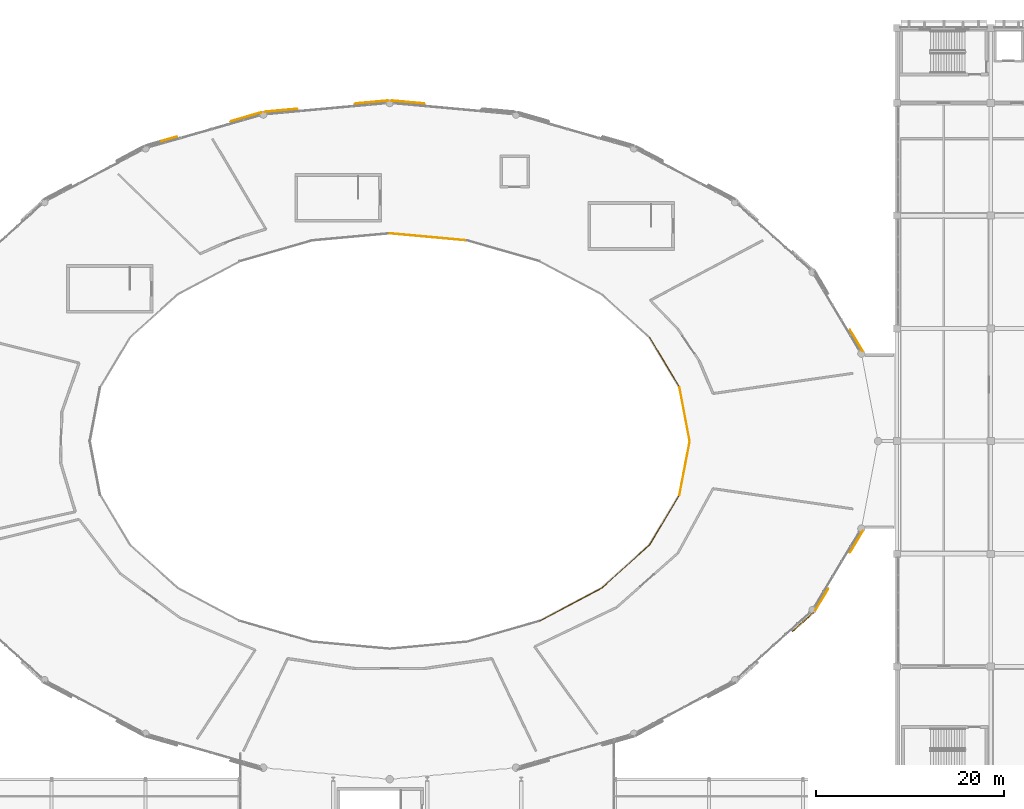
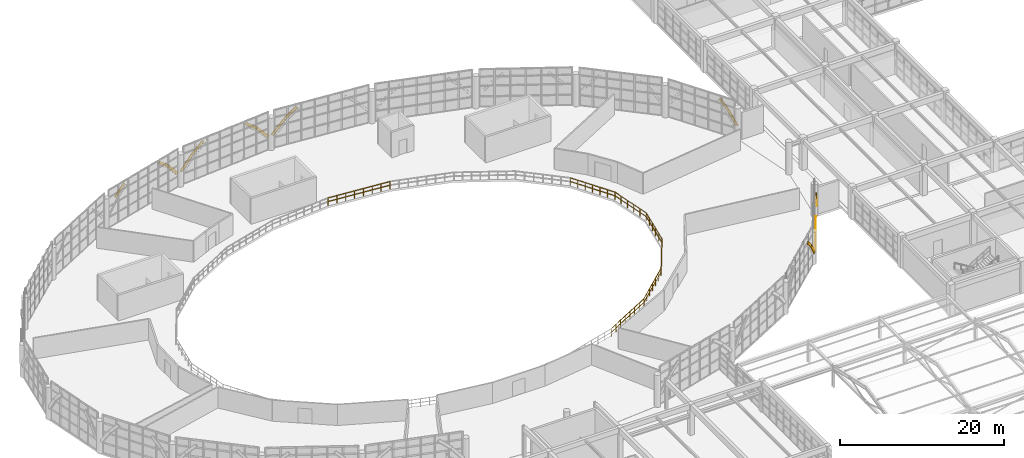
# One storey, part 102 of 109: 17 coverings, 7 railings.
"""IFC4 building model written with IfcOpenShell, lengths in metres."""

from ifc_helpers import new_model, si_unit, direction, frame, origin, origin_2d, place, context, subcontext, project, spatial, rectangle, circle, extrude, material, layer, layer_set, type_object, element, save


model = new_model("IFC4")

# Units and contexts
model_context = context("Model", 3, precision=1e-05, world=origin(), true_north=direction((0.0, 1.0)))
body_context = subcontext(model_context, "Body", "Model", "MODEL_VIEW")
ifc_project = project(units=[si_unit("LENGTHUNIT", "METRE"), si_unit("AREAUNIT", "SQUARE_METRE"), si_unit("VOLUMEUNIT", "CUBIC_METRE"), si_unit("PLANEANGLEUNIT", "RADIAN"), si_unit("MASSUNIT", "GRAM", prefix="KILO")], contexts=[model_context])

# Site, building, storey
site_placement = place(None, origin())
site = spatial("IfcSite", under=ifc_project, at=site_placement, CompositionType="ELEMENT")
building_placement = place(site_placement, origin())
building = spatial("IfcBuilding", under=site, at=building_placement, Name="Kivolera Central Railway Station", CompositionType="ELEMENT")
storey_placement = place(building_placement, frame((0.0, 0.0, 9.60009765625)))
storey = spatial("IfcBuildingStorey", under=building, at=storey_placement, Name="L02", CompositionType="ELEMENT", Elevation=9.60009765625)

# Coverings
ifc_material_1 = material(Name="Precast concrete C40/50", Category="concrete")
ifc_layer_1 = layer(ifc_material_1, 0.090087890625, Name="Precast concrete C40/50")
ifc_layer_set_1 = layer_set([ifc_layer_1], Name="Precast concrete C40/50")
covering_type = type_object("IfcCoveringType", Name="COV-CLAUSTRA-90", PredefinedType="CLADDING", material=ifc_layer_set_1)
covering_1_placement = place(storey_placement, frame((114.007080078125, 100.18408203125, 2.719970703125), z_axis=(-0.277895585097, 0.464634338162, 0.840766897293), x_axis=(0.858137550629, 0.513419851778, 0.0)))
element("IfcCovering", 1, at=covering_1_placement, inside=storey, type_object=covering_type, Name="Oval Lantern Arch Spandrel Extrados Trim 02.1", PredefinedType="CLADDING", context=body_context, shape_type="SweptSolid", body=[
    extrude(rectangle(XDim=0.090087890625, YDim=0.3798828125, at=origin_2d()), frame((0.0, 0.0, -1.1298828125)), (0.0, 0.0, 1.0), 2.260009765625),
])
covering_2_placement = place(storey_placement, frame((113.3720703125, 101.243896484375, 4.366943359375), z_axis=(-0.343400964084, 0.57361084614, 0.743670878182), x_axis=(0.858137550629, 0.513419851778, 0.0)))
element("IfcCovering", 2, at=covering_2_placement, inside=storey, type_object=covering_type, Name="Oval Lantern Arch Spandrel Extrados Trim 02.2", PredefinedType="CLADDING", context=body_context, shape_type="SweptSolid", body=[
    extrude(rectangle(XDim=0.090087890625, YDim=0.3798828125, at=origin_2d()), frame((0.0, 0.0, -0.91455078125)), (0.0, 0.0, 1.0), 1.8291015625),
])
covering_3_placement = place(storey_placement, frame((66.781005859375, 126.001953125, 4.380859375), z_axis=(-0.771257483248, 0.070241182023, -0.632635812203), x_axis=(0.090789260019, 0.995870127208, 0.0)))
element("IfcCovering", 3, at=covering_3_placement, inside=storey, type_object=covering_type, Name="Oval Lantern Arch Spandrel Extrados Trim 06.5", PredefinedType="CLADDING", context=body_context, shape_type="SweptSolid", body=[
    extrude(rectangle(XDim=0.090087890625, YDim=0.3798828125, at=origin_2d()), frame((0.0, 0.0, -1.074951171875)), (0.0, 0.0, 1.0), 2.14990234375),
])
for number, where, z_axis, x_axis, name in (
    (4, (65.10791015625, 126.155029296875, 2.73583984375), (-0.656317708202, 0.059773205018, -0.752113176232), (0.090789260019, 0.995870127208, 0.0), "Oval Lantern Arch Spandrel Extrados Trim 06.6"),
    (5, (62.89208984375, 126.155029296875, 2.73583984375), (-0.656317708202, -0.059773205018, 0.752113176232), (-0.090789260019, 0.995870127208, 0.0), "Oval Lantern Arch Spandrel Extrados Trim 07.1"),
):
    element("IfcCovering", number, at=place(storey_placement, frame(where, z_axis=z_axis, x_axis=x_axis)), inside=storey, type_object=covering_type, Name=name, PredefinedType="CLADDING", context=body_context, shape_type="SweptSolid", body=[
        extrude(rectangle(XDim=0.090087890625, YDim=0.3798828125, at=origin_2d()), frame((0.0, 0.0, -1.262939453125)), (0.0, 0.0, 1.0), 2.52587890625),
    ])
for number, where, z_axis, x_axis, name in (
    (6, (61.218994140625, 126.001953125, 4.380859375), (-0.771257483248, -0.070241182023, 0.632635812203), (-0.090789260019, 0.995870127208, 0.0), "Oval Lantern Arch Spandrel Extrados Trim 07.2"),
    (7, (53.27587890625, 125.278076171875, 4.380859375), (-0.771257483248, -0.070241182023, -0.632635812203), (-0.090789260019, 0.995870127208, 0.0), "Oval Lantern Arch Spandrel Extrados Trim 07.5"),
):
    element("IfcCovering", number, at=place(storey_placement, frame(where, z_axis=z_axis, x_axis=x_axis)), inside=storey, type_object=covering_type, Name=name, PredefinedType="CLADDING", context=body_context, shape_type="SweptSolid", body=[
        extrude(rectangle(XDim=0.090087890625, YDim=0.3798828125, at=origin_2d()), frame((0.0, 0.0, -1.074951171875)), (0.0, 0.0, 1.0), 2.14990234375),
    ])
covering_4_placement = place(storey_placement, frame((51.60302734375, 125.1259765625, 2.73583984375), z_axis=(-0.656092285002, -0.059788736, -0.752308594002), x_axis=(-0.090789260019, 0.995870127208, 0.0)))
element("IfcCovering", 8, at=covering_4_placement, inside=storey, type_object=covering_type, Name="Oval Lantern Arch Spandrel Extrados Trim 07.6", PredefinedType="CLADDING", context=body_context, shape_type="SweptSolid", body=[
    extrude(rectangle(XDim=0.090087890625, YDim=0.3798828125, at=origin_2d()), frame((0.0, 0.0, -1.262939453125)), (0.0, 0.0, 1.0), 2.52587890625),
])
covering_5_placement = place(storey_placement, frame((49.4541015625, 124.72705078125, 2.73388671875), z_axis=(-0.620082073923, -0.178142904978, 0.764044060906), x_axis=(-0.275632123108, 0.961263196378, 0.0)))
element("IfcCovering", 9, at=covering_5_placement, inside=storey, type_object=covering_type, Name="Oval Lantern Arch Spandrel Extrados Trim 08.1", PredefinedType="CLADDING", context=body_context, shape_type="SweptSolid", body=[
    extrude(rectangle(XDim=0.090087890625, YDim=0.3798828125, at=origin_2d()), frame((0.0, 0.0, -1.24365234375)), (0.0, 0.0, 1.0), 2.487060546875),
])
covering_6_placement = place(storey_placement, frame((47.89794921875, 124.280029296875, 4.37890625), z_axis=(-0.733228366786, -0.210173111939, 0.646686496811), x_axis=(-0.275632123108, 0.961263196378, 0.0)))
element("IfcCovering", 10, at=covering_6_placement, inside=storey, type_object=covering_type, Name="Oval Lantern Arch Spandrel Extrados Trim 08.2", PredefinedType="CLADDING", context=body_context, shape_type="SweptSolid", body=[
    extrude(rectangle(XDim=0.090087890625, YDim=0.3798828125, at=origin_2d()), frame((0.0, 0.0, -1.051513671875)), (0.0, 0.0, 1.0), 2.10302734375),
])
covering_7_placement = place(storey_placement, frame((40.501953125, 122.159912109375, 4.37890625), z_axis=(-0.733008389459, -0.210246403845, -0.646912011523), x_axis=(-0.275632123108, 0.961263196378, 0.0)))
element("IfcCovering", 11, at=covering_7_placement, inside=storey, type_object=covering_type, Name="Oval Lantern Arch Spandrel Extrados Trim 08.5", PredefinedType="CLADDING", context=body_context, shape_type="SweptSolid", body=[
    extrude(rectangle(XDim=0.090087890625, YDim=0.3798828125, at=origin_2d()), frame((0.0, 0.0, -1.051025390625)), (0.0, 0.0, 1.0), 2.10205078125),
])
covering_8_placement = place(storey_placement, frame((107.5, 70.27294921875, 4.371826171875), z_axis=(0.523601648239, 0.473064972216, -0.708555464324), x_axis=(0.669922245859, -0.742431265844, 0.0)))
element("IfcCovering", 12, at=covering_8_placement, inside=storey, type_object=covering_type, Name="Oval Lantern Arch Spandrel Extrados Trim 22.5", PredefinedType="CLADDING", context=body_context, shape_type="SweptSolid", body=[
    extrude(rectangle(XDim=0.090087890625, YDim=0.3798828125, at=origin_2d()), frame((0.0, 0.0, -0.95947265625)), (0.0, 0.0, 1.0), 1.9189453125),
])
covering_9_placement = place(storey_placement, frame((108.51611328125, 71.18994140625, 2.724853515625), z_axis=(0.431133332814, 0.388705698832, -0.814267725648), x_axis=(0.669922245859, -0.742431265844, 0.0)))
element("IfcCovering", 13, at=covering_9_placement, inside=storey, type_object=covering_type, Name="Oval Lantern Arch Spandrel Extrados Trim 22.6", PredefinedType="CLADDING", context=body_context, shape_type="SweptSolid", body=[
    extrude(rectangle(XDim=0.090087890625, YDim=0.3798828125, at=origin_2d()), frame((0.0, 0.0, -1.16650390625)), (0.0, 0.0, 1.0), 2.3330078125),
])
covering_10_placement = place(storey_placement, frame((109.69189453125, 72.60498046875, 2.719970703125), z_axis=(0.277895585097, 0.464634338162, 0.840766897293), x_axis=(0.858137550629, -0.513419851778, 0.0)))
element("IfcCovering", 14, at=covering_10_placement, inside=storey, type_object=covering_type, Name="Oval Lantern Arch Spandrel Extrados Trim 23.1", PredefinedType="CLADDING", context=body_context, shape_type="SweptSolid", body=[
    extrude(rectangle(XDim=0.090087890625, YDim=0.3798828125, at=origin_2d()), frame((0.0, 0.0, -1.1298828125)), (0.0, 0.0, 1.0), 2.260009765625),
])
for number, where, z_axis, x_axis, name in (
    (15, (110.325927734375, 73.6650390625, 4.366943359375), (0.343400964084, 0.57361084614, 0.743670878182), (0.858137550629, -0.513419851778, 0.0), "Oval Lantern Arch Spandrel Extrados Trim 23.2"),
    (16, (113.3720703125, 78.756103515625, 4.366943359375), (0.343400964084, 0.57361084614, -0.743670878182), (0.858137550629, -0.513419851778, 0.0), "Oval Lantern Arch Spandrel Extrados Trim 23.5"),
):
    element("IfcCovering", number, at=place(storey_placement, frame(where, z_axis=z_axis, x_axis=x_axis)), inside=storey, type_object=covering_type, Name=name, PredefinedType="CLADDING", context=body_context, shape_type="SweptSolid", body=[
        extrude(rectangle(XDim=0.090087890625, YDim=0.3798828125, at=origin_2d()), frame((0.0, 0.0, -0.91455078125)), (0.0, 0.0, 1.0), 1.8291015625),
    ])
covering_11_placement = place(storey_placement, frame((114.007080078125, 79.81591796875, 2.719970703125), z_axis=(0.277895585097, 0.464634338162, -0.840766897293), x_axis=(0.858137550629, -0.513419851778, 0.0)))
element("IfcCovering", 17, at=covering_11_placement, inside=storey, type_object=covering_type, Name="Oval Lantern Arch Spandrel Extrados Trim 23.6", PredefinedType="CLADDING", context=body_context, shape_type="SweptSolid", body=[
    extrude(rectangle(XDim=0.090087890625, YDim=0.3798828125, at=origin_2d()), frame((0.0, 0.0, -1.1298828125)), (0.0, 0.0, 1.0), 2.260009765625),
])

# Railings
ifc_material_2 = material(Name="Anodised aluminium", Category="aluminium")
ifc_layer_2 = layer(ifc_material_2, 0.048095703125, Name="Anodised aluminium")
ifc_layer_set_2 = layer_set([ifc_layer_2], Name="Anodised aluminium")
railing_type = type_object("IfcRailingType", Name="RL-INT-BAL-1130", PredefinedType="BALUSTRADE", material=ifc_layer_set_2)
railing_1_placement = place(storey_placement, frame((95.949951171875, 90.0, 0.0)))
element("IfcRailing", 18, at=railing_1_placement, inside=storey, type_object=railing_type, Name="L02 Concourse Upper Gallery Balustrade 01", PredefinedType="BALUSTRADE", context=body_context, shape_type="SweptSolid", body=[
    extrude(circle(Radius=0.02392578125, at=origin_2d()), frame((0.0, 0.0, 1.10595703125), z_axis=(-0.186842592541, 0.982389864368, 0.0), x_axis=(-0.982389864368, -0.186842592541, 0.0)), (0.0, 0.0, 1.0), 5.82763671875),
    extrude(circle(Radius=0.02392578125, at=origin_2d()), frame((0.0, 0.0, 0.56494140625), z_axis=(-0.186842592541, 0.982389864368, 0.0), x_axis=(-0.982389864368, -0.186842592541, 0.0)), (0.0, 0.0, 1.0), 5.82763671875),
    extrude(circle(Radius=0.02099609375, at=origin_2d()), origin(), (0.0, 0.0, 1.0), 1.081787109375),
    extrude(circle(Radius=0.02099609375, at=origin_2d()), frame((-0.2177734375, 1.14501953125, 0.0)), (0.0, 0.0, 1.0), 1.081787109375),
    extrude(circle(Radius=0.02099609375, at=origin_2d()), frame((-0.435546875, 2.2900390625, 0.0)), (0.0, 0.0, 1.0), 1.081787109375),
    extrude(circle(Radius=0.02099609375, at=origin_2d()), frame((-0.6533203125, 3.43505859375, 0.0)), (0.0, 0.0, 1.0), 1.081787109375),
    extrude(circle(Radius=0.02099609375, at=origin_2d()), frame((-0.87109375, 4.580078125, 0.0)), (0.0, 0.0, 1.0), 1.081787109375),
    extrude(circle(Radius=0.02099609375, at=origin_2d()), frame((-1.0888671875, 5.72509765625, 0.0)), (0.0, 0.0, 1.0), 1.081787109375),
])
railing_2_placement = place(storey_placement, frame((94.861083984375, 95.72509765625, 0.0)))
element("IfcRailing", 19, at=railing_2_placement, inside=storey, type_object=railing_type, Name="L02 Concourse Upper Gallery Balustrade 02", PredefinedType="BALUSTRADE", context=body_context, shape_type="SweptSolid", body=[
    extrude(circle(Radius=0.02392578125, at=origin_2d()), frame((0.0, 0.0, 1.10595703125), z_axis=(-0.513334426972, 0.858188654135, 0.0), x_axis=(-0.858188654135, -0.513334426972, 0.0)), (0.0, 0.0, 1.0), 6.216552734375),
    extrude(circle(Radius=0.02392578125, at=origin_2d()), frame((0.0, 0.0, 0.56494140625), z_axis=(-0.513334426972, 0.858188654135, 0.0), x_axis=(-0.858188654135, -0.513334426972, 0.0)), (0.0, 0.0, 1.0), 6.216552734375),
    extrude(circle(Radius=0.02099609375, at=origin_2d()), origin(), (0.0, 0.0, 1.0), 1.081787109375),
    extrude(circle(Radius=0.02099609375, at=origin_2d()), frame((-0.53173828125, 0.88916015625, 0.0)), (0.0, 0.0, 1.0), 1.081787109375),
    extrude(circle(Radius=0.02099609375, at=origin_2d()), frame((-1.063720703125, 1.7783203125, 0.0)), (0.0, 0.0, 1.0), 1.081787109375),
    extrude(circle(Radius=0.02099609375, at=origin_2d()), frame((-1.595703125, 2.66748046875, 0.0)), (0.0, 0.0, 1.0), 1.081787109375),
    extrude(circle(Radius=0.02099609375, at=origin_2d()), frame((-2.12744140625, 3.556640625, 0.0)), (0.0, 0.0, 1.0), 1.081787109375),
    extrude(circle(Radius=0.02099609375, at=origin_2d()), frame((-2.6591796875, 4.44580078125, 0.0)), (0.0, 0.0, 1.0), 1.081787109375),
    extrude(circle(Radius=0.02099609375, at=origin_2d()), frame((-3.191162109375, 5.3349609375, 0.0)), (0.0, 0.0, 1.0), 1.081787109375),
])
railing_3_placement = place(storey_placement, frame((72.26904296875, 111.365966796875, 0.0)))
element("IfcRailing", 20, at=railing_3_placement, inside=storey, type_object=railing_type, Name="L02 Concourse Upper Gallery Balustrade 06", PredefinedType="BALUSTRADE", context=body_context, shape_type="SweptSolid", body=[
    extrude(circle(Radius=0.02392578125, at=origin_2d()), frame((0.0, 0.0, 1.10595703125), z_axis=(-0.995866894987, 0.09082470737, 0.0), x_axis=(-0.09082470737, -0.995866894987, 0.0)), (0.0, 0.0, 1.0), 8.303466796875),
    extrude(circle(Radius=0.02392578125, at=origin_2d()), frame((0.0, 0.0, 0.56494140625), z_axis=(-0.995866894987, 0.09082470737, 0.0), x_axis=(-0.09082470737, -0.995866894987, 0.0)), (0.0, 0.0, 1.0), 8.303466796875),
    extrude(circle(Radius=0.02099609375, at=origin_2d()), origin(), (0.0, 0.0, 1.0), 1.081787109375),
    extrude(circle(Radius=0.02099609375, at=origin_2d()), frame((-1.181396484375, 0.107666015625, 0.0)), (0.0, 0.0, 1.0), 1.081787109375),
    extrude(circle(Radius=0.02099609375, at=origin_2d()), frame((-2.362548828125, 0.215576171875, 0.0)), (0.0, 0.0, 1.0), 1.081787109375),
    extrude(circle(Radius=0.02099609375, at=origin_2d()), frame((-3.5439453125, 0.3232421875, 0.0)), (0.0, 0.0, 1.0), 1.081787109375),
    extrude(circle(Radius=0.02099609375, at=origin_2d()), frame((-4.72509765625, 0.430908203125, 0.0)), (0.0, 0.0, 1.0), 1.081787109375),
    extrude(circle(Radius=0.02099609375, at=origin_2d()), frame((-5.906494140625, 0.53857421875, 0.0)), (0.0, 0.0, 1.0), 1.081787109375),
    extrude(circle(Radius=0.02099609375, at=origin_2d()), frame((-7.087646484375, 0.646484375, 0.0)), (0.0, 0.0, 1.0), 1.081787109375),
    extrude(circle(Radius=0.02099609375, at=origin_2d()), frame((-8.26904296875, 0.754150390625, 0.0)), (0.0, 0.0, 1.0), 1.081787109375),
])
railing_4_placement = place(storey_placement, frame((79.97509765625, 70.843994140625, 0.0)))
element("IfcRailing", 21, at=railing_4_placement, inside=storey, type_object=railing_type, Name="L02 Concourse Upper Gallery Balustrade 21", PredefinedType="BALUSTRADE", context=body_context, shape_type="SweptSolid", body=[
    extrude(circle(Radius=0.02392578125, at=origin_2d()), frame((0.0, 0.0, 1.10595703125), z_axis=(0.883135547269, 0.469117901119, 0.0), x_axis=(-0.469117901119, 0.883135547269, 0.0)), (0.0, 0.0, 1.0), 7.49267578125),
    extrude(circle(Radius=0.02392578125, at=origin_2d()), frame((0.0, 0.0, 0.56494140625), z_axis=(0.883135547269, 0.469117901119, 0.0), x_axis=(-0.469117901119, 0.883135547269, 0.0)), (0.0, 0.0, 1.0), 7.49267578125),
    extrude(circle(Radius=0.02099609375, at=origin_2d()), origin(), (0.0, 0.0, 1.0), 1.081787109375),
    extrude(circle(Radius=0.02099609375, at=origin_2d()), frame((0.9453125, 0.502197265625, 0.0)), (0.0, 0.0, 1.0), 1.081787109375),
    extrude(circle(Radius=0.02099609375, at=origin_2d()), frame((1.890625, 1.004150390625, 0.0)), (0.0, 0.0, 1.0), 1.081787109375),
    extrude(circle(Radius=0.02099609375, at=origin_2d()), frame((2.8359375, 1.50634765625, 0.0)), (0.0, 0.0, 1.0), 1.081787109375),
    extrude(circle(Radius=0.02099609375, at=origin_2d()), frame((3.781005859375, 2.008544921875, 0.0)), (0.0, 0.0, 1.0), 1.081787109375),
    extrude(circle(Radius=0.02099609375, at=origin_2d()), frame((4.726318359375, 2.5107421875, 0.0)), (0.0, 0.0, 1.0), 1.081787109375),
    extrude(circle(Radius=0.02099609375, at=origin_2d()), frame((5.671630859375, 3.0126953125, 0.0)), (0.0, 0.0, 1.0), 1.081787109375),
    extrude(circle(Radius=0.02099609375, at=origin_2d()), frame((6.616943359375, 3.514892578125, 0.0)), (0.0, 0.0, 1.0), 1.081787109375),
])
railing_5_placement = place(storey_placement, frame((86.592041015625, 74.35888671875, 0.0)))
element("IfcRailing", 22, at=railing_5_placement, inside=storey, type_object=railing_type, Name="L02 Concourse Upper Gallery Balustrade 22", PredefinedType="BALUSTRADE", context=body_context, shape_type="SweptSolid", body=[
    extrude(circle(Radius=0.02392578125, at=origin_2d()), frame((0.0, 0.0, 1.10595703125), z_axis=(0.74249661142, 0.669849820505, 0.0), x_axis=(-0.669849820505, 0.74249661142, 0.0)), (0.0, 0.0, 1.0), 6.8388671875),
    extrude(circle(Radius=0.02392578125, at=origin_2d()), frame((0.0, 0.0, 0.56494140625), z_axis=(0.74249661142, 0.669849820505, 0.0), x_axis=(-0.669849820505, 0.74249661142, 0.0)), (0.0, 0.0, 1.0), 6.8388671875),
    extrude(circle(Radius=0.02099609375, at=origin_2d()), origin(), (0.0, 0.0, 1.0), 1.081787109375),
    extrude(circle(Radius=0.02099609375, at=origin_2d()), frame((0.84619140625, 0.763427734375, 0.0)), (0.0, 0.0, 1.0), 1.081787109375),
    extrude(circle(Radius=0.02099609375, at=origin_2d()), frame((1.692626953125, 1.527099609375, 0.0)), (0.0, 0.0, 1.0), 1.081787109375),
    extrude(circle(Radius=0.02099609375, at=origin_2d()), frame((2.5390625, 2.29052734375, 0.0)), (0.0, 0.0, 1.0), 1.081787109375),
    extrude(circle(Radius=0.02099609375, at=origin_2d()), frame((3.38525390625, 3.053955078125, 0.0)), (0.0, 0.0, 1.0), 1.081787109375),
    extrude(circle(Radius=0.02099609375, at=origin_2d()), frame((4.2314453125, 3.817626953125, 0.0)), (0.0, 0.0, 1.0), 1.081787109375),
    extrude(circle(Radius=0.02099609375, at=origin_2d()), frame((5.077880859375, 4.5810546875, 0.0)), (0.0, 0.0, 1.0), 1.081787109375),
])
railing_6_placement = place(storey_placement, frame((91.669921875, 78.93994140625, 0.0)))
element("IfcRailing", 23, at=railing_6_placement, inside=storey, type_object=railing_type, Name="L02 Concourse Upper Gallery Balustrade 23", PredefinedType="BALUSTRADE", context=body_context, shape_type="SweptSolid", body=[
    extrude(circle(Radius=0.02392578125, at=origin_2d()), frame((0.0, 0.0, 1.10595703125), z_axis=(0.513334426972, 0.858188654135, 0.0), x_axis=(-0.858188654135, 0.513334426972, 0.0)), (0.0, 0.0, 1.0), 6.216552734375),
    extrude(circle(Radius=0.02392578125, at=origin_2d()), frame((0.0, 0.0, 0.56494140625), z_axis=(0.513334426972, 0.858188654135, 0.0), x_axis=(-0.858188654135, 0.513334426972, 0.0)), (0.0, 0.0, 1.0), 6.216552734375),
    extrude(circle(Radius=0.02099609375, at=origin_2d()), origin(), (0.0, 0.0, 1.0), 1.081787109375),
    extrude(circle(Radius=0.02099609375, at=origin_2d()), frame((0.53173828125, 0.88916015625, 0.0)), (0.0, 0.0, 1.0), 1.081787109375),
    extrude(circle(Radius=0.02099609375, at=origin_2d()), frame((1.063720703125, 1.7783203125, 0.0)), (0.0, 0.0, 1.0), 1.081787109375),
    extrude(circle(Radius=0.02099609375, at=origin_2d()), frame((1.595703125, 2.66748046875, 0.0)), (0.0, 0.0, 1.0), 1.081787109375),
    extrude(circle(Radius=0.02099609375, at=origin_2d()), frame((2.12744140625, 3.556640625, 0.0)), (0.0, 0.0, 1.0), 1.081787109375),
    extrude(circle(Radius=0.02099609375, at=origin_2d()), frame((2.6591796875, 4.44580078125, 0.0)), (0.0, 0.0, 1.0), 1.081787109375),
    extrude(circle(Radius=0.02099609375, at=origin_2d()), frame((3.191162109375, 5.3349609375, 0.0)), (0.0, 0.0, 1.0), 1.081787109375),
])
railing_7_placement = place(storey_placement, frame((94.861083984375, 84.27490234375, 0.0)))
element("IfcRailing", 24, at=railing_7_placement, inside=storey, type_object=railing_type, Name="L02 Concourse Upper Gallery Balustrade 24", PredefinedType="BALUSTRADE", context=body_context, shape_type="SweptSolid", body=[
    extrude(circle(Radius=0.02392578125, at=origin_2d()), frame((0.0, 0.0, 1.10595703125), z_axis=(0.186842592541, 0.982389864368, 0.0), x_axis=(-0.982389864368, 0.186842592541, 0.0)), (0.0, 0.0, 1.0), 5.82763671875),
    extrude(circle(Radius=0.02392578125, at=origin_2d()), frame((0.0, 0.0, 0.56494140625), z_axis=(0.186842592541, 0.982389864368, 0.0), x_axis=(-0.982389864368, 0.186842592541, 0.0)), (0.0, 0.0, 1.0), 5.82763671875),
    extrude(circle(Radius=0.02099609375, at=origin_2d()), origin(), (0.0, 0.0, 1.0), 1.081787109375),
    extrude(circle(Radius=0.02099609375, at=origin_2d()), frame((0.2177734375, 1.14501953125, 0.0)), (0.0, 0.0, 1.0), 1.081787109375),
    extrude(circle(Radius=0.02099609375, at=origin_2d()), frame((0.435546875, 2.2900390625, 0.0)), (0.0, 0.0, 1.0), 1.081787109375),
    extrude(circle(Radius=0.02099609375, at=origin_2d()), frame((0.6533203125, 3.43505859375, 0.0)), (0.0, 0.0, 1.0), 1.081787109375),
    extrude(circle(Radius=0.02099609375, at=origin_2d()), frame((0.87109375, 4.580078125, 0.0)), (0.0, 0.0, 1.0), 1.081787109375),
    extrude(circle(Radius=0.02099609375, at=origin_2d()), frame((1.0888671875, 5.72509765625, 0.0)), (0.0, 0.0, 1.0), 1.081787109375),
])

save(model, "model.ifc")
